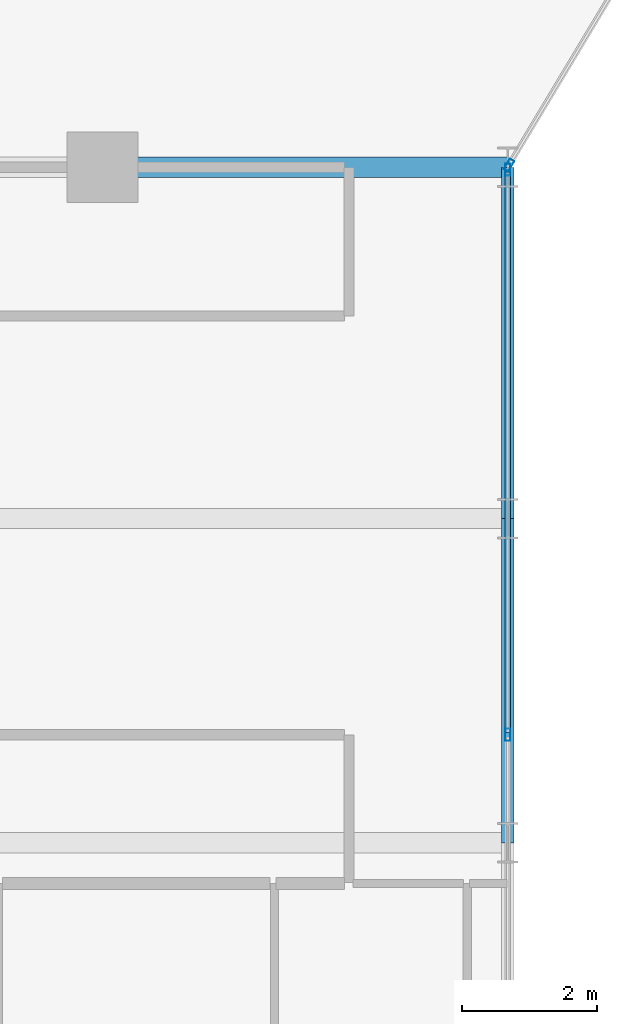
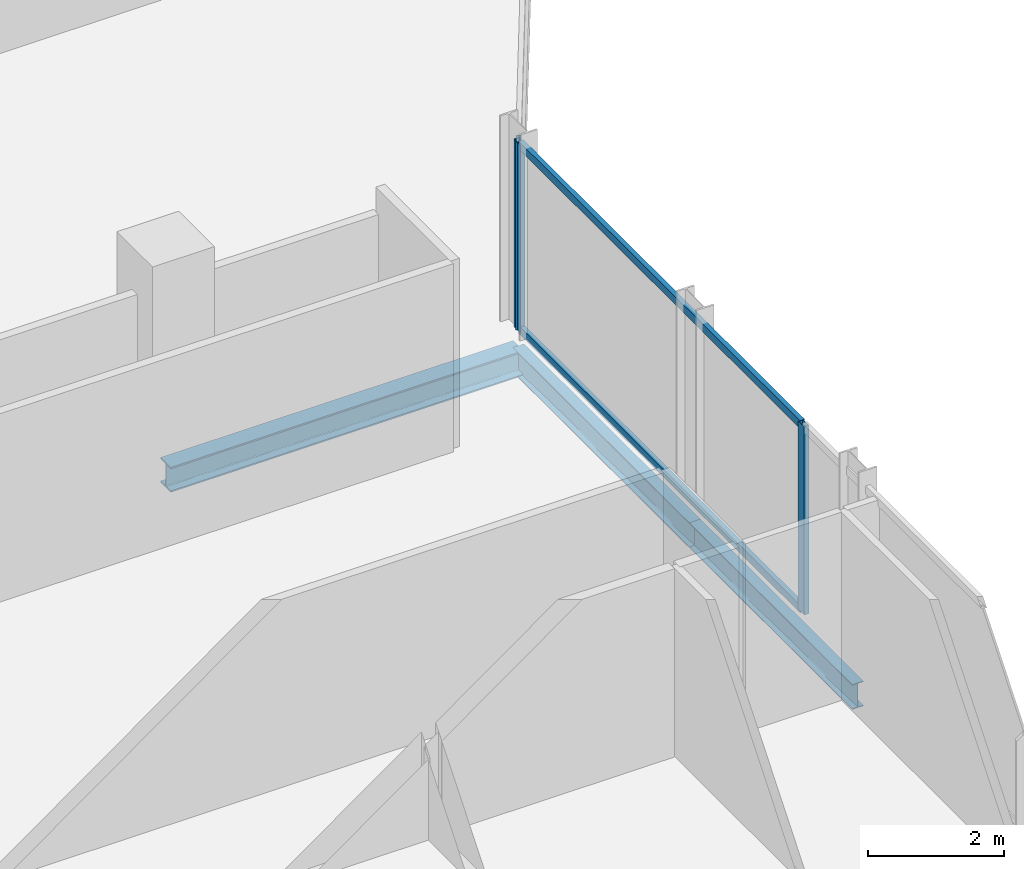
# One storey, part 12 of 29: 5 members, 3 beams, 2 elements without a shape of their own.
"""IFC4 building model written with IfcOpenShell, lengths in metres."""

from ifc_helpers import new_model, si_unit, direction, frame, origin, origin_2d, place, context, subcontext, project, spatial, hollow_rectangle, i_section, extrude, material, layer, layer_set, material_profile, profile_set, type_object, element, aggregate, save


model = new_model("IFC4")

# Units and contexts
model_context = context("Model", 3, precision=1e-05, world=origin(), true_north=direction((0.0, 1.0)))
body_context = subcontext(model_context, "Body", "Model", "MODEL_VIEW")
ifc_project = project(units=[si_unit("LENGTHUNIT", "METRE"), si_unit("AREAUNIT", "SQUARE_METRE"), si_unit("VOLUMEUNIT", "CUBIC_METRE"), si_unit("PLANEANGLEUNIT", "RADIAN"), si_unit("MASSUNIT", "GRAM", prefix="KILO")], contexts=[model_context])

# Site, building, storey
site_placement = place(None, origin())
site = spatial("IfcSite", under=ifc_project, at=site_placement, CompositionType="ELEMENT")
building_placement = place(site_placement, origin())
building = spatial("IfcBuilding", under=site, at=building_placement, Name="Keshet Zoharim Tower", CompositionType="ELEMENT")
storey_placement = place(building_placement, frame((0.0, 0.0, 105.699951171875)))
storey = spatial("IfcBuildingStorey", under=building, at=storey_placement, Name="L25", CompositionType="ELEMENT", Elevation=105.699951171875)

# Beams
ifc_material_1 = material(Name="Steel S355", Category="steel")
ifc_material_profile_1 = material_profile(ifc_material_1, i_section(OverallWidth=0.18994140625, OverallDepth=0.449951171875, WebThickness=0.009521484375, FlangeThickness=0.0146484375, FilletRadius=0.02099609375, at=origin_2d()), Name="IPE450")
ifc_profile_set_1 = profile_set([ifc_material_profile_1], Name="Steel S355")
beam_type_1 = type_object("IfcBeamType", Name="BM-PRI-IP450", PredefinedType="BEAM", material=ifc_profile_set_1)
beam_1_placement = place(storey_placement, frame((57.0, 17.89990234375, -0.5400390625), z_axis=(0.0, 1.0, 0.0), x_axis=(-1.0, 0.0, 0.0)))
element("IfcBeam", 1, at=beam_1_placement, inside=storey, type_object=beam_type_1, Name="L25 Primary Girder Y-015", PredefinedType="BEAM", context=body_context, shape_type="SweptSolid", body=[
    extrude(i_section(OverallWidth=0.18994140625, OverallDepth=0.449951171875, WebThickness=0.009521484375, FlangeThickness=0.0146484375, FilletRadius=0.02099609375, at=origin_2d()), origin(), (0.0, 0.0, 1.0), 4.800048828125),
])
beam_2_placement = place(storey_placement, frame((57.0, 22.699951171875, -0.5400390625), z_axis=(0.0, 1.0, 0.0), x_axis=(-1.0, 0.0, 0.0)))
element("IfcBeam", 2, at=beam_2_placement, inside=storey, type_object=beam_type_1, Name="L25 Primary Girder Y-016", PredefinedType="BEAM", context=body_context, shape_type="SweptSolid", body=[
    extrude(i_section(OverallWidth=0.18994140625, OverallDepth=0.449951171875, WebThickness=0.009521484375, FlangeThickness=0.0146484375, FilletRadius=0.02099609375, at=origin_2d()), origin(), (0.0, 0.0, 1.0), 5.199951171875),
])
ifc_material_profile_2 = material_profile(ifc_material_1, i_section(OverallWidth=0.300048828125, OverallDepth=0.449951171875, WebThickness=0.013916015625, FlangeThickness=0.02587890625, FilletRadius=0.027099609375, at=origin_2d()), Name="HEB450")
ifc_profile_set_2 = profile_set([ifc_material_profile_2], Name="Steel S355")
beam_type_2 = type_object("IfcBeamType", Name="BM-WEB-HB450", PredefinedType="BEAM", material=ifc_profile_set_2)
beam_3_placement = place(storey_placement, frame((51.0, 27.89990234375, -0.5400390625), z_axis=(1.0, 0.0, 0.0), x_axis=(0.0, 1.0, 0.0)))
element("IfcBeam", 3, at=beam_3_placement, inside=storey, type_object=beam_type_2, Name="L25 Primary Girder X-017", PredefinedType="BEAM", context=body_context, shape_type="SweptSolid", body=[
    extrude(i_section(OverallWidth=0.300048828125, OverallDepth=0.449951171875, WebThickness=0.013916015625, FlangeThickness=0.02587890625, FilletRadius=0.027099609375, at=origin_2d()), origin(), (0.0, 0.0, 1.0), 6.0),
])

# Curtain wall, member
ifc_material_2 = material(Name="Aluminium 6063-T6", Category="aluminium")
ifc_layer = layer(ifc_material_2, 0.159912109375)
ifc_layer_set = layer_set([ifc_layer], Name="Aluminium 6063-T6")
curtain_wall_type = type_object("IfcCurtainWallType", Name="CW-SYS-03", PredefinedType="NOTDEFINED", material=ifc_layer_set)
curtain_wall_1_placement = place(storey_placement, origin())
curtain_wall_1 = element("IfcCurtainWall", 4, at=curtain_wall_1_placement, inside=storey, type_object=curtain_wall_type, Name="L25 Unitised Curtain Wall 18", PredefinedType="NOTDEFINED")
ifc_material_profile_3 = material_profile(ifc_material_2, hollow_rectangle(XDim=0.080078125, YDim=0.179931640625, WallThickness=0.00439453125, at=origin_2d()), Name="MUL-80x180")
ifc_profile_set_3 = profile_set([ifc_material_profile_3], Name="Aluminium 6063-T6")
member_type_1 = type_object("IfcMemberType", Name="CWM-M18", PredefinedType="MULLION", material=ifc_profile_set_3)
member_1_placement = place(storey_placement, frame((57.01806640625, 27.929931640625, 0.0), z_axis=(0.0, 0.0, 1.0), x_axis=(0.857501477862, -0.514481501576, 0.0)))
member_1 = element("IfcMember", 5, at=member_1_placement, type_object=member_type_1, Name="CW-03 mullion 2", PredefinedType="MULLION", context=body_context, shape_type="SweptSolid", body=[
    extrude(hollow_rectangle(XDim=0.080078125, YDim=0.179931640625, WallThickness=0.00439453125, at=origin_2d()), origin(), (0.0, 0.0, 1.0), 3.385009765625),
])
aggregate(curtain_wall_1, [member_1])

# Curtain wall, members
curtain_wall_2_placement = place(storey_placement, origin())
curtain_wall_2 = element("IfcCurtainWall", 6, at=curtain_wall_2_placement, inside=storey, type_object=curtain_wall_type, Name="L25 Unitised Curtain Wall 19", PredefinedType="NOTDEFINED")
member_2_placement = place(storey_placement, frame((57.0, 27.864990234375, 0.0), z_axis=(0.0, 0.0, 1.0), x_axis=(1.0, 0.0, 0.0)))
member_2 = element("IfcMember", 7, at=member_2_placement, type_object=member_type_1, Name="CW-03 mullion 1", PredefinedType="MULLION", context=body_context, shape_type="SweptSolid", body=[
    extrude(hollow_rectangle(XDim=0.080078125, YDim=0.179931640625, WallThickness=0.00439453125, at=origin_2d()), origin(), (0.0, 0.0, 1.0), 3.385009765625),
])
member_3_placement = place(storey_placement, frame((57.0, 19.5, 0.0), z_axis=(0.0, 0.0, 1.0), x_axis=(1.0, 0.0, 0.0)))
member_3 = element("IfcMember", 8, at=member_3_placement, type_object=member_type_1, Name="CW-03 mullion 2", PredefinedType="MULLION", context=body_context, shape_type="SweptSolid", body=[
    extrude(hollow_rectangle(XDim=0.080078125, YDim=0.179931640625, WallThickness=0.00439453125, at=origin_2d()), origin(), (0.0, 0.0, 1.0), 3.385009765625),
])
ifc_material_profile_4 = material_profile(ifc_material_2, hollow_rectangle(XDim=0.080078125, YDim=0.139892578125, WallThickness=0.00390625, at=origin_2d()), Name="TRN-80x140")
ifc_profile_set_4 = profile_set([ifc_material_profile_4], Name="Aluminium 6063-T6")
member_type_2 = type_object("IfcMemberType", Name="CWT-T14", PredefinedType="USERDEFINED", material=ifc_profile_set_4)
member_4_placement = place(storey_placement, frame((57.0, 27.830078125, 0.03515625), z_axis=(0.0, -1.0, 0.0), x_axis=(1.0, 0.0, 0.0)))
member_4 = element("IfcMember", 9, at=member_4_placement, type_object=member_type_2, Name="CW-03 transom 1.1", ObjectType="TRANSOM", PredefinedType="USERDEFINED", context=body_context, shape_type="SweptSolid", body=[
    extrude(hollow_rectangle(XDim=0.080078125, YDim=0.139892578125, WallThickness=0.00390625, at=origin_2d()), origin(), (0.0, 0.0, 1.0), 8.295166015625),
])
member_5_placement = place(storey_placement, frame((57.0, 27.830078125, 3.35009765625), z_axis=(0.0, -1.0, 0.0), x_axis=(1.0, 0.0, 0.0)))
member_5 = element("IfcMember", 10, at=member_5_placement, type_object=member_type_2, Name="CW-03 transom 1.2", ObjectType="TRANSOM", PredefinedType="USERDEFINED", context=body_context, shape_type="SweptSolid", body=[
    extrude(hollow_rectangle(XDim=0.080078125, YDim=0.139892578125, WallThickness=0.00390625, at=origin_2d()), origin(), (0.0, 0.0, 1.0), 8.295166015625),
])
aggregate(curtain_wall_2, [member_2, member_3, member_4, member_5])

save(model, "model.ifc")
